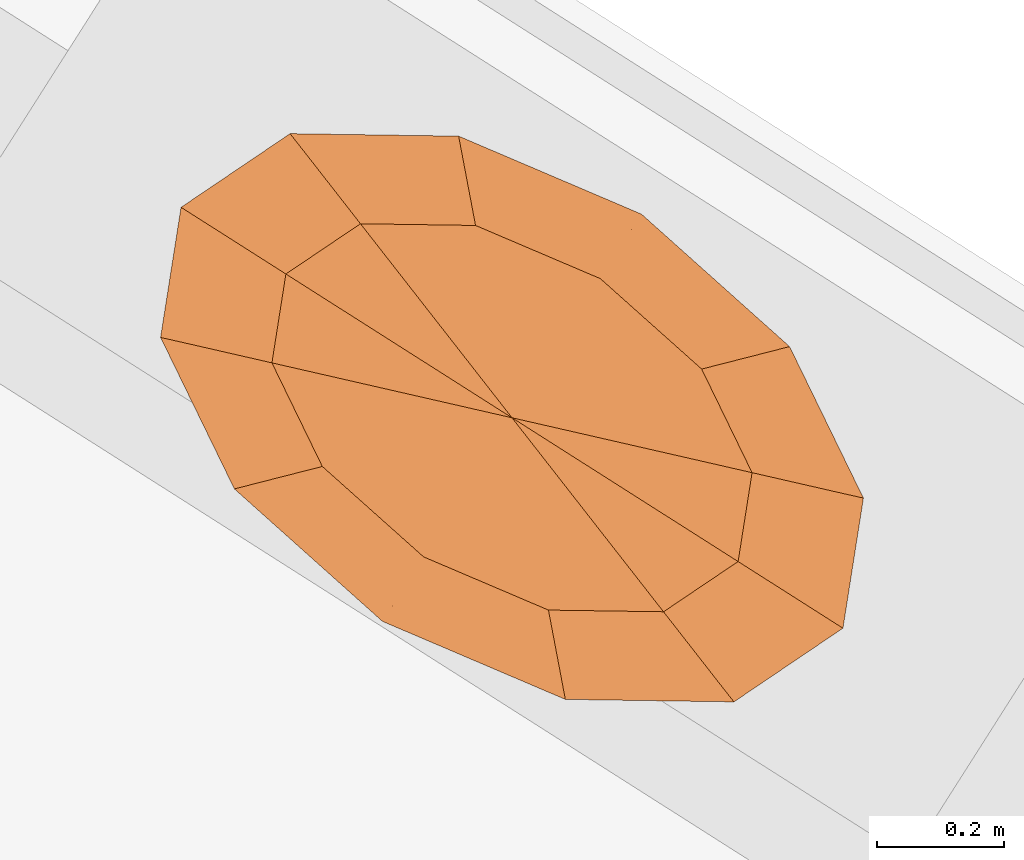
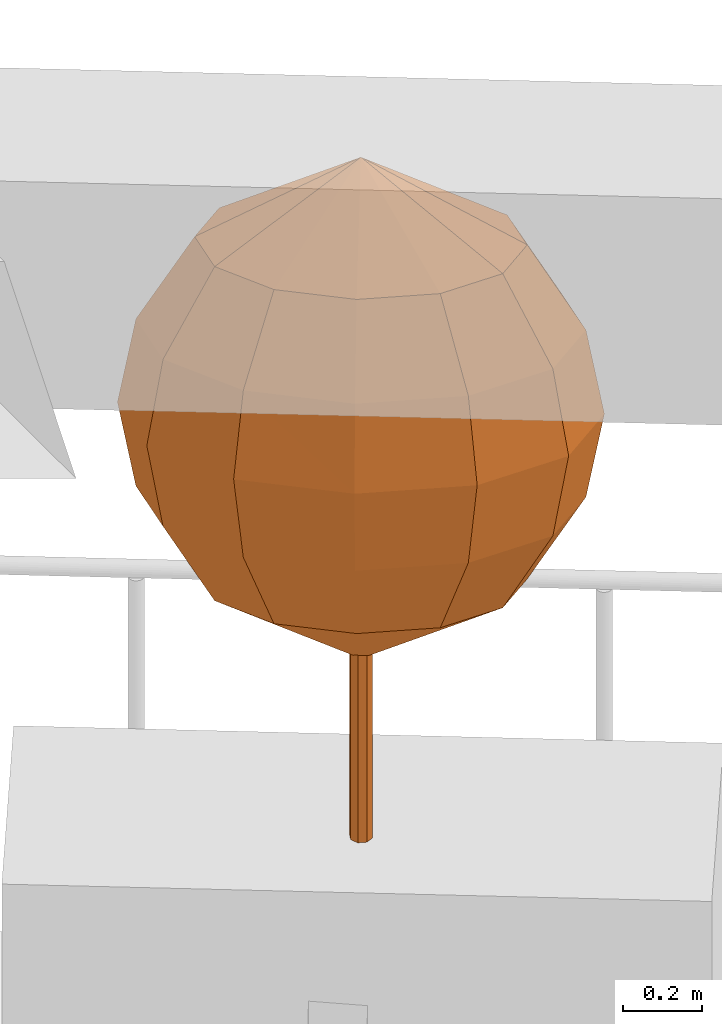
# One storey, part 12 of 12: 1 geographic element.
"""IFC4 building model written with IfcOpenShell, lengths in metres."""

from ifc_helpers import new_model, si_unit, direction, frame, origin, place, context, subcontext, project, spatial, faceted_brep, material, constituent, constituent_set, type_object, element, save


model = new_model("IFC4")

# Units and contexts
model_context = context("Model", 3, precision=1e-05, world=origin(), true_north=direction((0.0, 1.0)))
body_context = subcontext(model_context, "Body", "Model", "MODEL_VIEW")
ifc_project = project(units=[si_unit("LENGTHUNIT", "METRE"), si_unit("AREAUNIT", "SQUARE_METRE"), si_unit("VOLUMEUNIT", "CUBIC_METRE"), si_unit("PLANEANGLEUNIT", "RADIAN"), si_unit("MASSUNIT", "GRAM", prefix="KILO")], contexts=[model_context])

# Site, building, storey
site_placement = place(None, origin())
site = spatial("IfcSite", under=ifc_project, at=site_placement, CompositionType="ELEMENT")
building_placement = place(site_placement, origin())
building = spatial("IfcBuilding", under=site, at=building_placement, Name="Taillehof Tower", CompositionType="ELEMENT")
storey_placement = place(building_placement, frame((0.0, 0.0, 105.39990234375)))
storey = spatial("IfcBuildingStorey", under=building, at=storey_placement, Name="L29", CompositionType="ELEMENT", Elevation=105.39990234375)

# Geographic element
ifc_material_1 = material(Name="Tree bark", Category="timber")
ifc_constituent_1 = constituent(ifc_material_1, Name="Trunk", Category="timber")
ifc_material_2 = material(Name="Tree foliage")
ifc_constituent_2 = constituent(ifc_material_2, Name="Crown")
ifc_constituent_set = constituent_set(constituents=[ifc_constituent_1, ifc_constituent_2], Name="Tree TR1 Columnar hornbeam")
geographic_element_type = type_object("IfcGeographicElementType", Name="Tree TR1 Columnar hornbeam", PredefinedType="USERDEFINED", material=ifc_constituent_set)
geographic_element_placement = place(storey_placement, frame((15.759521484375, 18.814453125, 0.75)))
element("IfcGeographicElement", 1, at=geographic_element_placement, inside=storey, type_object=geographic_element_type, Name="Tree TR1 Columnar hornbeam", ObjectType="TREE", PredefinedType="USERDEFINED", context=body_context, shape_type="Brep", body=[
    faceted_brep([(0.030029296875, 0.0, 0.0), (0.021240234375, 0.021240234375, 0.0), (0.021240234375, 0.021240234375, 1.092529296875), (0.030029296875, 0.0, 1.092529296875), (0.0, 0.030029296875, 0.0), (0.0, 0.030029296875, 1.092529296875), (-0.021240234375, 0.021240234375, 0.0), (-0.021240234375, 0.021240234375, 1.092529296875), (-0.030029296875, 0.0, 0.0), (-0.030029296875, 0.0, 1.092529296875), (-0.021240234375, -0.021240234375, 0.0), (-0.021240234375, -0.021240234375, 1.092529296875), (0.0, -0.030029296875, 0.0), (0.0, -0.030029296875, 1.092529296875), (0.021240234375, -0.021240234375, 0.0), (0.021240234375, -0.021240234375, 1.092529296875)], [[[0, 1, 2, 3]], [[1, 4, 5, 2]], [[4, 6, 7, 5]], [[6, 8, 9, 7]], [[8, 10, 11, 9]], [[10, 12, 13, 11]], [[12, 14, 15, 13]], [[14, 0, 3, 15]], [[14, 12, 10, 8, 6, 4, 1, 0]], [[3, 2, 5, 7, 9, 11, 13, 15]]]),
    faceted_brep([(0.0, 0.0, 0.550048828125), (-0.3779296875, 0.08642578125, 0.808349609375), (-0.35595703125, 0.226318359375, 0.808349609375), (-0.298583984375, -0.07666015625, 0.808349609375), (-0.13916015625, -0.218994140625, 0.808349609375), (0.057373046875, -0.302734375, 0.808349609375), (0.238525390625, -0.305419921875, 0.808349609375), (0.35595703125, -0.226318359375, 0.808349609375), (0.3779296875, -0.08642578125, 0.808349609375), (0.298583984375, 0.07666015625, 0.808349609375), (0.13916015625, 0.218994140625, 0.808349609375), (-0.057373046875, 0.302734375, 0.808349609375), (-0.238525390625, 0.305419921875, 0.808349609375), (-0.51123046875, 0.116943359375, 1.066650390625), (-0.4814453125, 0.30615234375, 1.066650390625), (-0.40380859375, -0.103515625, 1.066650390625), (-0.1884765625, -0.29638671875, 1.066650390625), (0.07763671875, -0.40966796875, 1.066650390625), (0.32275390625, -0.413330078125, 1.066650390625), (0.4814453125, -0.30615234375, 1.066650390625), (0.51123046875, -0.116943359375, 1.066650390625), (0.40380859375, 0.103515625, 1.066650390625), (0.1884765625, 0.29638671875, 1.066650390625), (-0.07763671875, 0.40966796875, 1.066650390625), (-0.32275390625, 0.413330078125, 1.066650390625), (-0.55322265625, 0.12646484375, 1.324951171875), (-0.52099609375, 0.331298828125, 1.324951171875), (-0.43701171875, -0.112060546875, 1.324951171875), (-0.203857421875, -0.320556640625, 1.324951171875), (0.083984375, -0.443359375, 1.324951171875), (0.349365234375, -0.447265625, 1.324951171875), (0.52099609375, -0.331298828125, 1.324951171875), (0.55322265625, -0.12646484375, 1.324951171875), (0.43701171875, 0.112060546875, 1.324951171875), (0.203857421875, 0.320556640625, 1.324951171875), (-0.083984375, 0.443359375, 1.324951171875), (-0.349365234375, 0.447265625, 1.324951171875), (-0.51123046875, 0.116943359375, 1.583251953125), (-0.4814453125, 0.30615234375, 1.583251953125), (-0.40380859375, -0.103515625, 1.583251953125), (-0.1884765625, -0.29638671875, 1.583251953125), (0.07763671875, -0.40966796875, 1.583251953125), (0.32275390625, -0.413330078125, 1.583251953125), (0.4814453125, -0.30615234375, 1.583251953125), (0.51123046875, -0.116943359375, 1.583251953125), (0.40380859375, 0.103515625, 1.583251953125), (0.1884765625, 0.29638671875, 1.583251953125), (-0.07763671875, 0.40966796875, 1.583251953125), (-0.32275390625, 0.413330078125, 1.583251953125), (-0.3779296875, 0.08642578125, 1.841552734375), (-0.35595703125, 0.226318359375, 1.841552734375), (-0.298583984375, -0.07666015625, 1.841552734375), (-0.13916015625, -0.218994140625, 1.841552734375), (0.057373046875, -0.302734375, 1.841552734375), (0.238525390625, -0.305419921875, 1.841552734375), (0.35595703125, -0.226318359375, 1.841552734375), (0.3779296875, -0.08642578125, 1.841552734375), (0.298583984375, 0.07666015625, 1.841552734375), (0.13916015625, 0.218994140625, 1.841552734375), (-0.057373046875, 0.302734375, 1.841552734375), (-0.238525390625, 0.305419921875, 1.841552734375), (0.0, 0.0, 2.10009765625)], [[[0, 1, 2]], [[0, 3, 1]], [[0, 4, 3]], [[0, 5, 4]], [[0, 6, 5]], [[0, 7, 6]], [[0, 8, 7]], [[0, 9, 8]], [[0, 10, 9]], [[0, 11, 10]], [[0, 12, 11]], [[0, 2, 12]], [[2, 1, 13, 14]], [[1, 3, 15, 13]], [[3, 4, 16, 15]], [[4, 5, 17, 16]], [[5, 6, 18, 17]], [[6, 7, 19, 18]], [[7, 8, 20, 19]], [[8, 9, 21, 20]], [[9, 10, 22, 21]], [[10, 11, 23, 22]], [[11, 12, 24, 23]], [[12, 2, 14, 24]], [[14, 13, 25, 26]], [[13, 15, 27, 25]], [[15, 16, 28, 27]], [[16, 17, 29, 28]], [[17, 18, 30, 29]], [[18, 19, 31, 30]], [[19, 20, 32, 31]], [[20, 21, 33, 32]], [[21, 22, 34, 33]], [[22, 23, 35, 34]], [[23, 24, 36, 35]], [[24, 14, 26, 36]], [[26, 25, 37, 38]], [[25, 27, 39, 37]], [[27, 28, 40, 39]], [[28, 29, 41, 40]], [[29, 30, 42, 41]], [[30, 31, 43, 42]], [[31, 32, 44, 43]], [[32, 33, 45, 44]], [[33, 34, 46, 45]], [[34, 35, 47, 46]], [[35, 36, 48, 47]], [[36, 26, 38, 48]], [[38, 37, 49, 50]], [[37, 39, 51, 49]], [[39, 40, 52, 51]], [[40, 41, 53, 52]], [[41, 42, 54, 53]], [[42, 43, 55, 54]], [[43, 44, 56, 55]], [[44, 45, 57, 56]], [[45, 46, 58, 57]], [[46, 47, 59, 58]], [[47, 48, 60, 59]], [[48, 38, 50, 60]], [[50, 49, 61]], [[49, 51, 61]], [[51, 52, 61]], [[52, 53, 61]], [[53, 54, 61]], [[54, 55, 61]], [[55, 56, 61]], [[56, 57, 61]], [[57, 58, 61]], [[58, 59, 61]], [[59, 60, 61]], [[60, 50, 61]]]),
])

save(model, "model.ifc")
